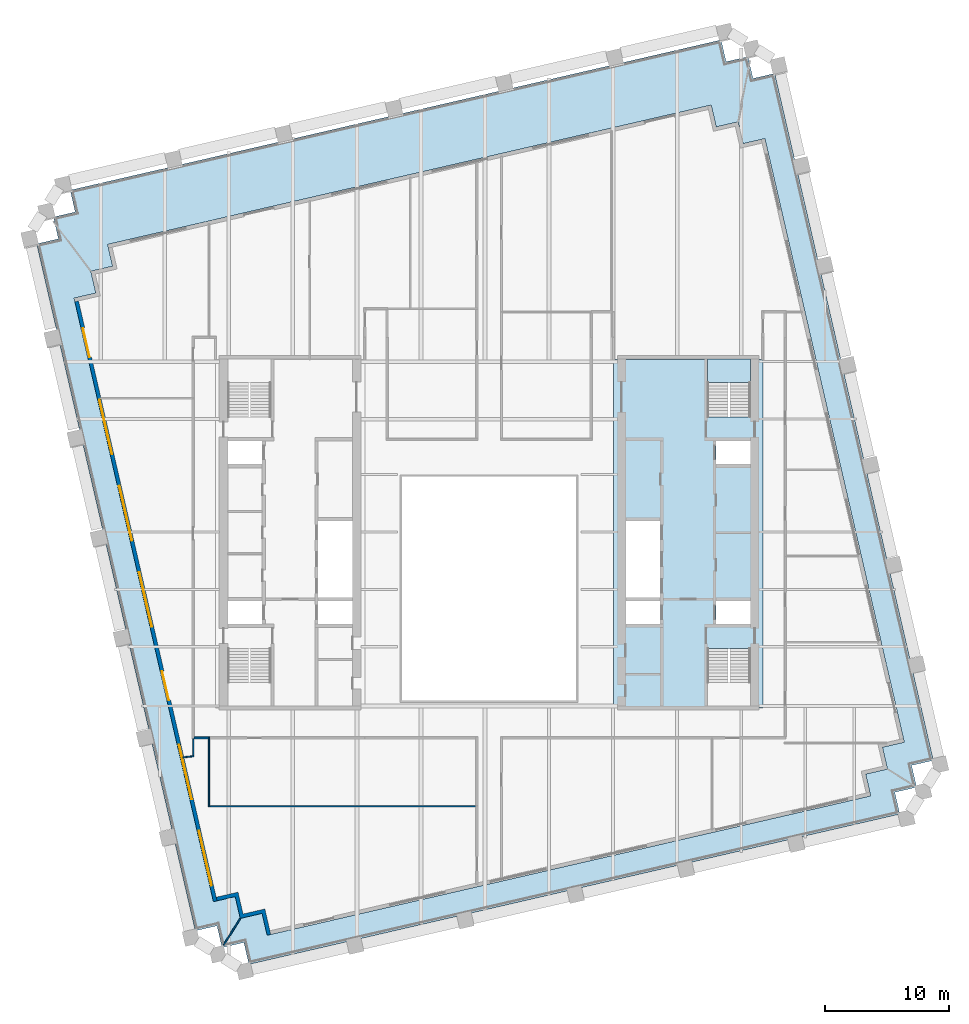
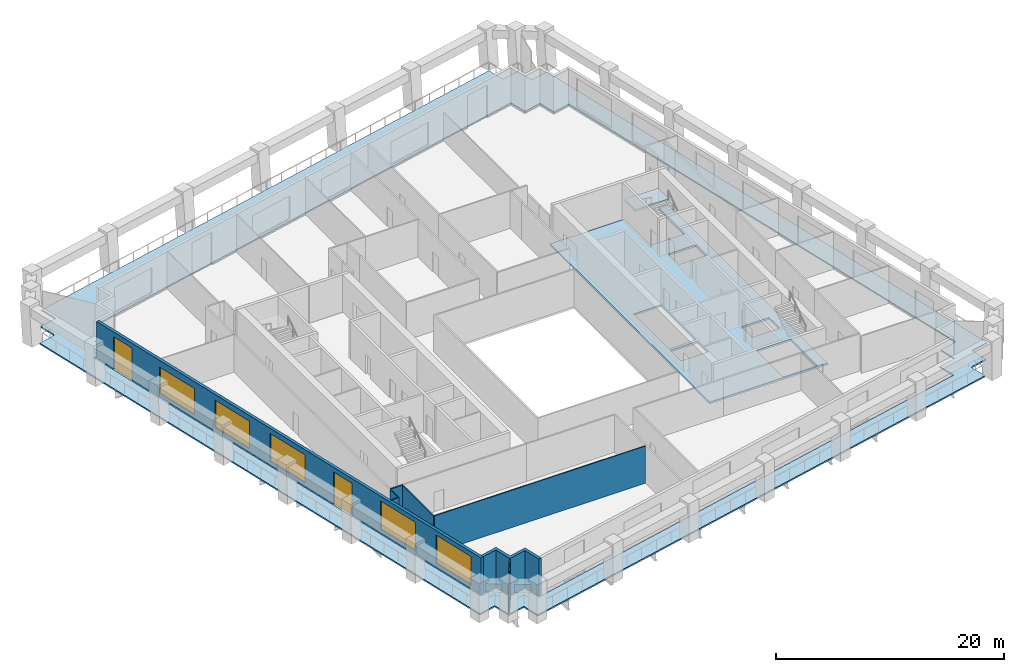
# One storey, part 3 of 10: 8 walls, 5 windows, 3 slabs, 2 doors, 7 openings, 1 element without a shape of its own.
"""IFC4 building model written with IfcOpenShell, lengths in metres."""

from ifc_helpers import new_model, si_unit, direction, frame, frame_2d, origin, place, context, subcontext, project, spatial, polyline, rectangle, outline, extrude, material, layer, layer_set, type_object, element, fill, aggregate, save


model = new_model("IFC4")

# Units and contexts
model_context = context("Model", 3, precision=1e-05, world=origin(), true_north=direction((0.0, 1.0)))
body_context = subcontext(model_context, "Body", "Model", "MODEL_VIEW")
ifc_project = project(units=[si_unit("LENGTHUNIT", "METRE"), si_unit("AREAUNIT", "SQUARE_METRE"), si_unit("VOLUMEUNIT", "CUBIC_METRE"), si_unit("PLANEANGLEUNIT", "RADIAN"), si_unit("MASSUNIT", "GRAM", prefix="KILO")], contexts=[model_context])

# Site, building, storey
site_placement = place(None, origin())
site = spatial("IfcSite", under=ifc_project, at=site_placement, CompositionType="ELEMENT")
building_placement = place(site_placement, origin())
building = spatial("IfcBuilding", under=site, at=building_placement, Name="Ogive Exchange Tower", CompositionType="ELEMENT")
storey_placement = place(building_placement, frame((0.0, 0.0, 201.0)))
storey = spatial("IfcBuildingStorey", under=building, at=storey_placement, Name="L44", CompositionType="ELEMENT", Elevation=201.0)

# Slabs
ifc_material_1 = material(Name="Concrete C70/85", Category="concrete")
ifc_layer_1 = layer(ifc_material_1, 0.199951171875)
ifc_layer_set_1 = layer_set([ifc_layer_1], Name="Core floor slab 200")
slab_type_1 = type_object("IfcSlabType", Name="Core floor slab 200", PredefinedType="FLOOR", material=ifc_layer_set_1)
slab_1_placement = place(storey_placement, frame((0.0, 0.0, -0.199951171875)))
element("IfcSlab", 1, at=slab_1_placement, inside=storey, type_object=slab_type_1, Name="Core floor slab", PredefinedType="FLOOR", context=body_context, shape_type="SweptSolid", body=[
    extrude(outline(polyline([(22.0, 25.39990234375), (22.0, -2.60009765625), (10.0, -2.60009765625), (10.0, 25.39990234375), (17.550048828125, 25.39990234375), (17.550048828125, 20.803955078125), (21.0, 20.803955078125), (21.0, 25.39990234375), (22.0, 25.39990234375)]), holes=[polyline([(21.0, 2.196044921875), (17.550048828125, 2.196044921875), (17.550048828125, -2.449951171875), (21.0, -2.449951171875), (21.0, 2.196044921875)]), polyline([(13.75, 5.992919921875), (11.0, 5.992919921875), (11.0, 4.14990234375), (13.75, 4.14990234375), (13.75, 5.992919921875)]), polyline([(21.0, 5.992919921875), (18.25, 5.992919921875), (18.25, 4.14990234375), (21.0, 4.14990234375), (21.0, 5.992919921875)]), polyline([(11.0, 12.42138671875), (11.0, 6.29296875), (13.75, 6.29296875), (13.75, 12.42138671875), (11.0, 12.42138671875)]), polyline([(21.0, 18.85009765625), (18.25, 18.85009765625), (18.25, 17.007080078125), (21.0, 17.007080078125), (21.0, 18.85009765625)])]), origin(), (0.0, 0.0, 1.0), 0.199951171875),
])
ifc_material_2 = material(Name="Concrete C50/60", Category="concrete")
ifc_layer_2 = layer(ifc_material_2, 0.14990234375)
ifc_layer_set_2 = layer_set([ifc_layer_2], Name="Loggia deck 150")
slab_type_2 = type_object("IfcSlabType", Name="Loggia deck 150", PredefinedType="FLOOR", material=ifc_layer_set_2)
slab_2_placement = place(storey_placement, frame((0.0, 0.0, -0.199951171875)))
element("IfcSlab", 2, at=slab_2_placement, inside=storey, type_object=slab_type_2, Name="Loggia deck", PredefinedType="FLOOR", context=body_context, shape_type="SweptSolid", body=[
    extrude(outline(polyline([(-19.717041015625, -21.45556640625), (-21.470947265625, -21.860595703125), (-21.875732421875, -20.106689453125), (-23.629638671875, -20.51171875), (-36.378662109375, 34.710693359375), (-34.624755859375, 35.115478515625), (-35.02978515625, 36.869384765625), (-33.27587890625, 37.2744140625), (-33.680908203125, 39.0283203125), (18.642822265625, 51.108154296875), (19.0478515625, 49.354248046875), (20.8017578125, 49.759033203125), (21.20654296875, 48.005126953125), (22.96044921875, 48.41015625), (35.70947265625, -6.81201171875), (33.95556640625, -7.217041015625), (34.360595703125, -8.970947265625), (32.606689453125, -9.375732421875), (33.01171875, -11.129638671875), (-19.31201171875, -23.20947265625), (-19.717041015625, -21.45556640625)]), holes=[polyline([(30.26806640625, -7.914306640625), (32.02197265625, -7.509521484375), (31.616943359375, -5.755615234375), (33.370849609375, -5.3505859375), (22.168212890625, 43.1728515625), (20.414306640625, 42.76806640625), (20.009521484375, 44.52197265625), (18.255615234375, 44.116943359375), (17.8505859375, 45.870849609375), (-30.6728515625, 34.668212890625), (-30.26806640625, 32.914306640625), (-32.02197265625, 32.509521484375), (-31.616943359375, 30.755615234375), (-33.370849609375, 30.3505859375), (-22.168212890625, -18.1728515625), (-20.414306640625, -17.76806640625), (-20.009521484375, -19.52197265625), (-18.255615234375, -19.116943359375), (-17.8505859375, -20.870849609375), (30.6728515625, -9.668212890625), (30.26806640625, -7.914306640625)])]), origin(), (0.0, 0.0, 1.0), 0.14990234375),
])

# Stair, slab
ifc_material_3 = material(Name="Concrete C40/50", Category="concrete")
stair_type = type_object("IfcStairType", Name="Exit stair 1650 wide", PredefinedType="HALF_TURN_STAIR", material=ifc_material_3)
stair_placement = place(storey_placement, origin())
stair = element("IfcStair", 3, at=stair_placement, inside=storey, type_object=stair_type, Name="L44 exit stair ST4", PredefinedType="HALF_TURN_STAIR")
ifc_layer_3 = layer(ifc_material_3, 0.199951171875)
ifc_layer_set_3 = layer_set([ifc_layer_3], Name="Stair landing 200 slab")
slab_type_3 = type_object("IfcSlabType", Name="Stair landing 200 slab", PredefinedType="LANDING", material=ifc_layer_set_3)
slab_3_placement = place(storey_placement, frame((0.0, 0.0, 1.89990234375)))
slab_3 = element("IfcSlab", 4, at=slab_3_placement, type_object=slab_type_3, Name="ST4 landing 1", PredefinedType="LANDING", context=body_context, shape_type="SweptSolid", body=[
    extrude(outline(polyline([(21.0, 23.550048828125), (21.0, 25.449951171875), (17.550048828125, 25.449951171875), (17.550048828125, 23.550048828125), (21.0, 23.550048828125)])), origin(), (0.0, 0.0, 1.0), 0.2001953125),
])
aggregate(stair, [slab_3])

# Wall
ifc_material_4 = material(Name="Fire partition EI 60 150")
ifc_layer_4 = layer(ifc_material_4, 0.14990234375)
ifc_layer_set_4 = layer_set([ifc_layer_4], Name="Fire partition EI 60 150")
wall_type_1 = type_object("IfcWallType", Name="Fire partition EI 60 150", PredefinedType="PARTITIONING", material=ifc_layer_set_4)
wall_1_placement = place(storey_placement, frame((-22.570068359375, -5.0, 0.0), z_axis=(0.0, 0.0, 1.0), x_axis=(-1.0, 0.0, 0.0)))
element("IfcWall", 5, at=wall_1_placement, inside=storey, type_object=wall_type_1, Name="L44-PWL-008", PredefinedType="PARTITIONING", context=body_context, shape_type="SweptSolid", body=[
    extrude(rectangle(XDim=1.14501953125, YDim=0.14990234375, at=frame_2d((0.572509765625, 0.0))), origin(), (0.0, 0.0, 1.0), 4.0),
])

# Wall, openings, doors, windows
ifc_material_5 = material(Name="Precast concrete C40/50", Category="concrete")
ifc_layer_5 = layer(ifc_material_5, 0.300048828125)
ifc_layer_set_5 = layer_set([ifc_layer_5], Name="Limestone-faced wall 300")
wall_type_2 = type_object("IfcWallType", Name="Limestone-faced wall 300", PredefinedType="STANDARD", material=ifc_layer_set_5)
wall_2_placement = place(storey_placement, frame((-33.1572265625, 30.092041015625, 0.0), z_axis=(0.0, 0.0, 1.0), x_axis=(0.224950279389, -0.974370243697, 0.0)))
wall_2 = element("IfcWall", 6, at=wall_2_placement, inside=storey, type_object=wall_type_2, Name="External wall W4", PredefinedType="STANDARD", context=body_context, shape_type="SweptSolid", body=[
    extrude(rectangle(XDim=49.499755859375, YDim=0.300048828125, at=frame_2d((24.75, 0.0))), origin(), (0.0, 0.0, 1.0), 4.0),
])
opening_1_placement = place(wall_2_placement, frame((2.20703125, 0.0, 0.0)))
opening_1 = element("IfcOpeningElement", 7, at=opening_1_placement, cuts=wall_2, Name="Opening D1", PredefinedType="OPENING", context=body_context, shape_type="SweptSolid", body=[
    extrude(rectangle(XDim=2.39990234375, YDim=3.5, at=frame_2d((1.199951171875, 1.75))), frame((0.0, 0.159912109375, 0.0), z_axis=(0.0, -1.0, 0.0), x_axis=(1.0, 0.0, 0.0)), (0.0, 0.0, 1.0), 0.320068359375),
])
opening_2_placement = place(wall_2_placement, frame((8.121337890625, 0.0, 0.449951171875)))
opening_2 = element("IfcOpeningElement", 8, at=opening_2_placement, cuts=wall_2, Name="Opening W1E", PredefinedType="OPENING", context=body_context, shape_type="SweptSolid", body=[
    extrude(rectangle(XDim=4.5, YDim=2.824951171875, at=frame_2d((2.25, 1.41259765625))), frame((0.0, 0.159912109375, 0.0), z_axis=(0.0, -1.0, 0.0), x_axis=(1.0, 0.0, 0.0)), (0.0, 0.0, 1.0), 0.320068359375),
])
opening_3_placement = place(wall_2_placement, frame((15.235595703125, 0.0, 0.449951171875)))
opening_3 = element("IfcOpeningElement", 9, at=opening_3_placement, cuts=wall_2, Name="Opening W1B", PredefinedType="OPENING", context=body_context, shape_type="SweptSolid", body=[
    extrude(rectangle(XDim=4.5, YDim=2.949951171875, at=frame_2d((2.25, 1.47509765625))), frame((0.0, 0.159912109375, 0.0), z_axis=(0.0, -1.0, 0.0), x_axis=(1.0, 0.0, 0.0)), (0.0, 0.0, 1.0), 0.320068359375),
])
opening_4_placement = place(wall_2_placement, frame((22.35009765625, 0.0, 0.449951171875)))
opening_4 = element("IfcOpeningElement", 10, at=opening_4_placement, cuts=wall_2, Name="Opening W1A", PredefinedType="OPENING", context=body_context, shape_type="SweptSolid", body=[
    extrude(rectangle(XDim=4.5, YDim=3.0, at=frame_2d((2.25, 1.5))), frame((0.0, 0.159912109375, 0.0), z_axis=(0.0, -1.0, 0.0), x_axis=(1.0, 0.0, 0.0)), (0.0, 0.0, 1.0), 0.320068359375),
])
opening_5_placement = place(wall_2_placement, frame((30.51416015625, 0.0, 0.0)))
opening_5 = element("IfcOpeningElement", 11, at=opening_5_placement, cuts=wall_2, Name="Opening D1", PredefinedType="OPENING", context=body_context, shape_type="SweptSolid", body=[
    extrude(rectangle(XDim=2.39990234375, YDim=3.5, at=frame_2d((1.199951171875, 1.75))), frame((0.0, 0.159912109375, 0.0), z_axis=(0.0, -1.0, 0.0), x_axis=(1.0, 0.0, 0.0)), (0.0, 0.0, 1.0), 0.320068359375),
])
opening_6_placement = place(wall_2_placement, frame((36.57861328125, 0.0, 0.449951171875)))
opening_6 = element("IfcOpeningElement", 12, at=opening_6_placement, cuts=wall_2, Name="Opening W1", PredefinedType="OPENING", context=body_context, shape_type="SweptSolid", body=[
    extrude(rectangle(XDim=4.5, YDim=3.050048828125, at=frame_2d((2.25, 1.52490234375))), frame((0.0, 0.159912109375, 0.0), z_axis=(0.0, -1.0, 0.0), x_axis=(1.0, 0.0, 0.0)), (0.0, 0.0, 1.0), 0.320068359375),
])
opening_7_placement = place(wall_2_placement, frame((43.69287109375, 0.0, 0.449951171875)))
opening_7 = element("IfcOpeningElement", 13, at=opening_7_placement, cuts=wall_2, Name="Opening W1", PredefinedType="OPENING", context=body_context, shape_type="SweptSolid", body=[
    extrude(rectangle(XDim=4.5, YDim=3.050048828125, at=frame_2d((2.25, 1.52490234375))), frame((0.0, 0.159912109375, 0.0), z_axis=(0.0, -1.0, 0.0), x_axis=(1.0, 0.0, 0.0)), (0.0, 0.0, 1.0), 0.320068359375),
])
ifc_material_6 = material(Name="Clear glass in bronze frame", Category="glass")
door_type = type_object("IfcDoorType", Name="Sliding loggia door 2400 x 3500", OperationType="DOUBLE_DOOR_SLIDING", PredefinedType="DOOR", material=ifc_material_6)
door_1_placement = place(opening_1_placement, origin())
door_1 = element("IfcDoor", 14, at=door_1_placement, inside=storey, type_object=door_type, Name="Loggia door W00", OperationType="DOUBLE_DOOR_SLIDING", OverallHeight=3.5, OverallWidth=2.39990234375, PredefinedType="DOOR", context=body_context, shape_type="SweptSolid", body=[
    extrude(rectangle(XDim=2.39990234375, YDim=3.5, at=frame_2d((1.199951171875, 1.75))), frame((0.0, 0.02490234375, 0.0), z_axis=(0.0, -1.0, 0.0), x_axis=(1.0, 0.0, 0.0)), (0.0, 0.0, 1.0), 0.050048828125),
])
fill(opening_1, door_1)
door_2_placement = place(opening_5_placement, origin())
door_2 = element("IfcDoor", 15, at=door_2_placement, inside=storey, type_object=door_type, Name="Loggia door W04", OperationType="DOUBLE_DOOR_SLIDING", OverallHeight=3.5, OverallWidth=2.39990234375, PredefinedType="DOOR", context=body_context, shape_type="SweptSolid", body=[
    extrude(rectangle(XDim=2.39990234375, YDim=3.5, at=frame_2d((1.199951171875, 1.75))), frame((0.0, 0.02490234375, 0.0), z_axis=(0.0, -1.0, 0.0), x_axis=(1.0, 0.0, 0.0)), (0.0, 0.0, 1.0), 0.050048828125),
])
fill(opening_5, door_2)
window_type_1 = type_object("IfcWindowType", Name="Twin lancet window 4500 x 2825", PartitioningType="DOUBLE_PANEL_VERTICAL", PredefinedType="WINDOW", material=ifc_material_6)
window_1_placement = place(opening_2_placement, origin())
window_1 = element("IfcWindow", 16, at=window_1_placement, inside=storey, type_object=window_type_1, Name="Window W01", OverallHeight=2.824951171875, OverallWidth=4.5, PartitioningType="DOUBLE_PANEL_VERTICAL", PredefinedType="WINDOW", context=body_context, shape_type="SweptSolid", body=[
    extrude(rectangle(XDim=4.5, YDim=2.824951171875, at=frame_2d((2.25, 1.41259765625))), frame((0.0, 0.030029296875, 0.0), z_axis=(0.0, -1.0, 0.0), x_axis=(1.0, 0.0, 0.0)), (0.0, 0.0, 1.0), 0.06005859375),
])
fill(opening_2, window_1)
window_type_2 = type_object("IfcWindowType", Name="Twin lancet window 4500 x 2950", PartitioningType="DOUBLE_PANEL_VERTICAL", PredefinedType="WINDOW", material=ifc_material_6)
window_2_placement = place(opening_3_placement, origin())
window_2 = element("IfcWindow", 17, at=window_2_placement, inside=storey, type_object=window_type_2, Name="Window W02", OverallHeight=2.949951171875, OverallWidth=4.5, PartitioningType="DOUBLE_PANEL_VERTICAL", PredefinedType="WINDOW", context=body_context, shape_type="SweptSolid", body=[
    extrude(rectangle(XDim=4.5, YDim=2.949951171875, at=frame_2d((2.25, 1.47509765625))), frame((0.0, 0.030029296875, 0.0), z_axis=(0.0, -1.0, 0.0), x_axis=(1.0, 0.0, 0.0)), (0.0, 0.0, 1.0), 0.06005859375),
])
fill(opening_3, window_2)
window_type_3 = type_object("IfcWindowType", Name="Twin lancet window 4500 x 3000", PartitioningType="DOUBLE_PANEL_VERTICAL", PredefinedType="WINDOW", material=ifc_material_6)
window_3_placement = place(opening_4_placement, origin())
window_3 = element("IfcWindow", 18, at=window_3_placement, inside=storey, type_object=window_type_3, Name="Window W03", OverallHeight=3.0, OverallWidth=4.5, PartitioningType="DOUBLE_PANEL_VERTICAL", PredefinedType="WINDOW", context=body_context, shape_type="SweptSolid", body=[
    extrude(rectangle(XDim=4.5, YDim=3.0, at=frame_2d((2.25, 1.5))), frame((0.0, 0.030029296875, 0.0), z_axis=(0.0, -1.0, 0.0), x_axis=(1.0, 0.0, 0.0)), (0.0, 0.0, 1.0), 0.06005859375),
])
fill(opening_4, window_3)
window_type_4 = type_object("IfcWindowType", Name="Twin lancet window 4500 x 3050", PartitioningType="DOUBLE_PANEL_VERTICAL", PredefinedType="WINDOW", material=ifc_material_6)
window_4_placement = place(opening_6_placement, origin())
window_4 = element("IfcWindow", 19, at=window_4_placement, inside=storey, type_object=window_type_4, Name="Window W05", OverallHeight=3.050048828125, OverallWidth=4.5, PartitioningType="DOUBLE_PANEL_VERTICAL", PredefinedType="WINDOW", context=body_context, shape_type="SweptSolid", body=[
    extrude(rectangle(XDim=4.5, YDim=3.050048828125, at=frame_2d((2.25, 1.52490234375))), frame((0.0, 0.030029296875, 0.0), z_axis=(0.0, -1.0, 0.0), x_axis=(1.0, 0.0, 0.0)), (0.0, 0.0, 1.0), 0.06005859375),
])
fill(opening_6, window_4)
window_5_placement = place(opening_7_placement, origin())
window_5 = element("IfcWindow", 20, at=window_5_placement, inside=storey, type_object=window_type_4, Name="Window W06", OverallHeight=3.050048828125, OverallWidth=4.5, PartitioningType="DOUBLE_PANEL_VERTICAL", PredefinedType="WINDOW", context=body_context, shape_type="SweptSolid", body=[
    extrude(rectangle(XDim=4.5, YDim=3.050048828125, at=frame_2d((2.25, 1.52490234375))), frame((0.0, 0.030029296875, 0.0), z_axis=(0.0, -1.0, 0.0), x_axis=(1.0, 0.0, 0.0)), (0.0, 0.0, 1.0), 0.06005859375),
])
fill(opening_7, window_5)

# Walls
wall_3_placement = place(storey_placement, origin())
element("IfcWall", 21, at=wall_3_placement, inside=storey, type_object=wall_type_2, Name="External corner wall C4", PredefinedType="STANDARD", context=body_context, shape_type="SweptSolid", body=[
    extrude(outline(polyline([(-18.255615234375, -19.116943359375), (-20.009521484375, -19.52197265625), (-20.414306640625, -17.76806640625), (-21.8759765625, -18.10546875), (-21.943359375, -17.81298828125), (-20.189697265625, -17.408203125), (-19.78466796875, -19.162109375), (-18.03076171875, -18.757080078125), (-17.558349609375, -20.80322265625), (-17.8505859375, -20.870849609375), (-18.255615234375, -19.116943359375)])), origin(), (0.0, 0.0, 1.0), 4.0),
])
ifc_material_7 = material(Name="Laminated safety glass in steel frame", Category="steel")
ifc_layer_6 = layer(ifc_material_7, 0.10009765625)
ifc_layer_set_6 = layer_set([ifc_layer_6], Name="Loggia end screen 100")
wall_type_3 = type_object("IfcWallType", Name="Loggia end screen 100", PredefinedType="STANDARD", material=ifc_layer_set_6)
wall_4_placement = place(storey_placement, frame((-20.009521484375, -19.52197265625, -0.050048828125), z_axis=(0.0, 0.0, 1.0), x_axis=(-0.529920736377, -0.848047176257, 0.0)))
element("IfcWall", 22, at=wall_4_placement, inside=storey, type_object=wall_type_3, Name="Loggia end screen C4", PredefinedType="STANDARD", context=body_context, shape_type="SweptSolid", body=[
    extrude(rectangle(XDim=2.525634765625, YDim=0.10009765625, at=frame_2d((1.2626953125, 0.0))), origin(), (0.0, 0.0, 1.0), 4.050048828125),
])
ifc_material_8 = material(Name="Partition 100 gypsum")
ifc_layer_7 = layer(ifc_material_8, 0.10009765625)
ifc_layer_set_7 = layer_set([ifc_layer_7], Name="Partition 100 gypsum")
wall_type_4 = type_object("IfcWallType", Name="Partition 100 gypsum", PredefinedType="PARTITIONING", material=ifc_layer_set_7)
wall_5_placement = place(storey_placement, frame((-24.6201171875, -6.574951171875, 0.0), z_axis=(0.0, 0.0, 1.0), x_axis=(0.993501545499, 0.113818623659, 0.0)))
element("IfcWall", 23, at=wall_5_placement, inside=storey, type_object=wall_type_4, Name="L44-PWL-002", PredefinedType="PARTITIONING", context=body_context, shape_type="SweptSolid", body=[
    extrude(rectangle(XDim=0.885986328125, YDim=0.10009765625, at=frame_2d((0.44287109375, 0.0))), origin(), (0.0, 0.0, 1.0), 4.0),
])
wall_6_placement = place(storey_placement, frame((-23.7900390625, -5.074951171875, 0.0), z_axis=(0.0, 0.0, 1.0), x_axis=(0.0, -1.0, 0.0)))
element("IfcWall", 24, at=wall_6_placement, inside=storey, type_object=wall_type_4, Name="L44-PWL-006", PredefinedType="PARTITIONING", context=body_context, shape_type="SweptSolid", body=[
    extrude(rectangle(XDim=1.35498046875, YDim=0.10009765625, at=frame_2d((0.677490234375, 0.0))), origin(), (0.0, 0.0, 1.0), 4.0),
])
wall_7_placement = place(storey_placement, frame((-22.52001953125, -10.550048828125, 0.0), z_axis=(0.0, 0.0, 1.0), x_axis=(0.0, 1.0, 0.0)))
element("IfcWall", 25, at=wall_7_placement, inside=storey, type_object=wall_type_4, Name="L44-PWL-007", PredefinedType="PARTITIONING", context=body_context, shape_type="SweptSolid", body=[
    extrude(rectangle(XDim=5.625, YDim=0.10009765625, at=frame_2d((2.8125, 0.0))), origin(), (0.0, 0.0, 1.0), 4.0),
])
wall_8_placement = place(storey_placement, frame((-1.06494140625, -10.5, 0.0), z_axis=(0.0, 0.0, 1.0), x_axis=(-1.0, 0.0, 0.0)))
element("IfcWall", 26, at=wall_8_placement, inside=storey, type_object=wall_type_4, Name="L44-PWL-024", PredefinedType="PARTITIONING", context=body_context, shape_type="SweptSolid", body=[
    extrude(rectangle(XDim=21.405029296875, YDim=0.10009765625, at=frame_2d((10.70263671875, 0.0))), origin(), (0.0, 0.0, 1.0), 4.0),
])

save(model, "model.ifc")
